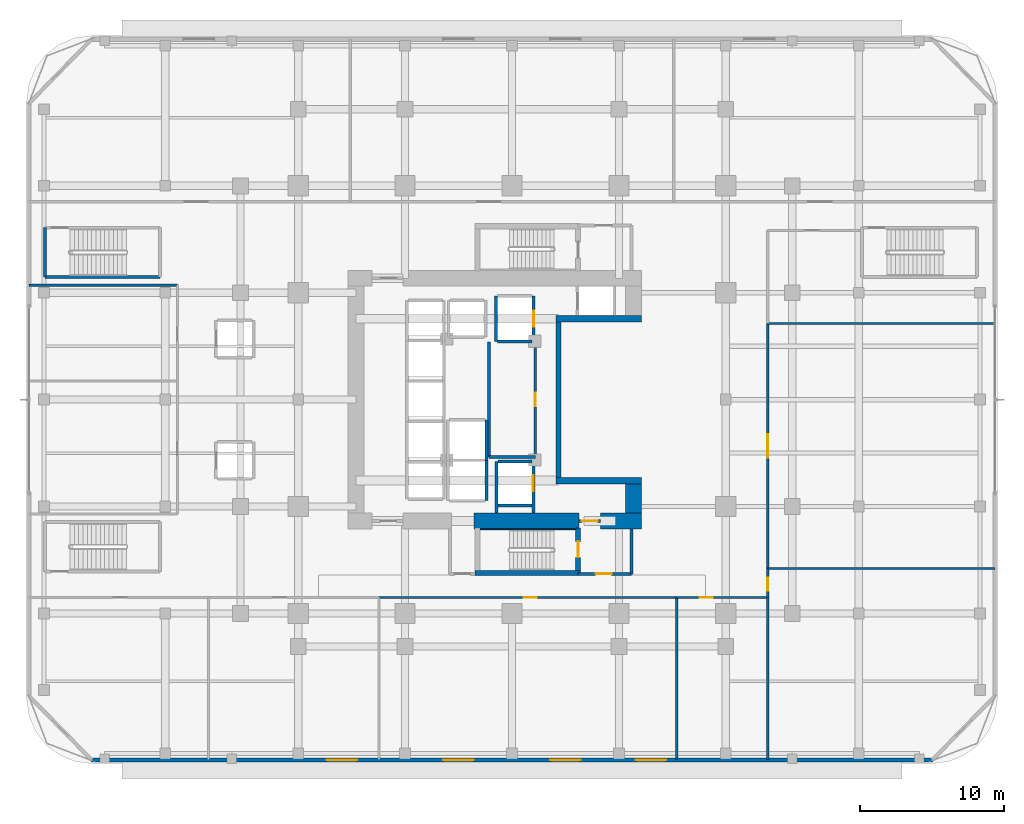
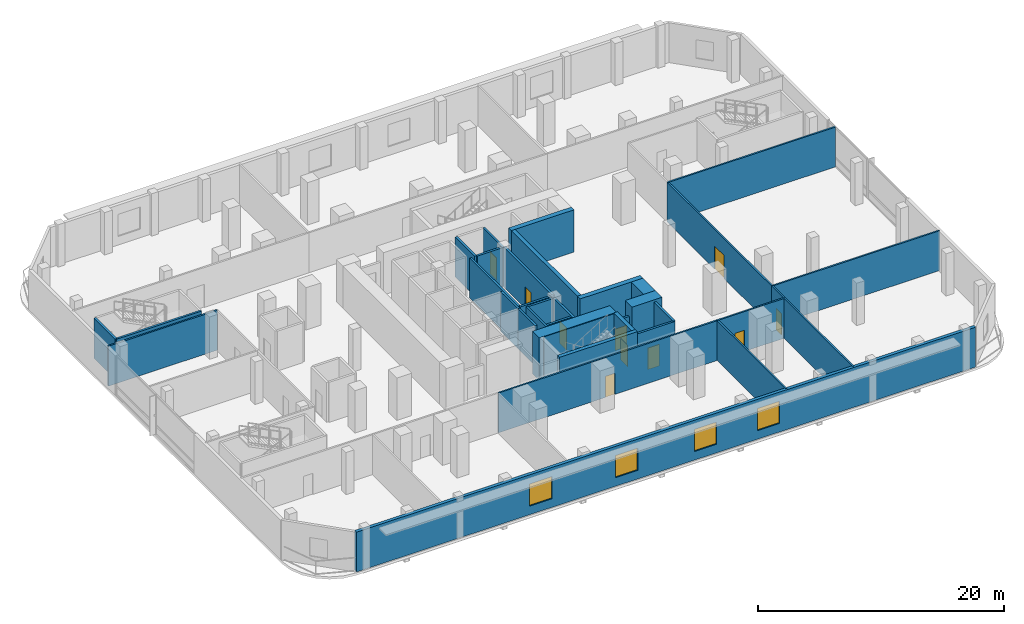
# One storey, part 9 of 19: 36 walls, 10 doors, 4 windows, 14 openings.
"""IFC4 building model written with IfcOpenShell, lengths in metres."""

from ifc_helpers import new_model, si_unit, direction, frame, frame_2d, origin, place, context, subcontext, project, spatial, rectangle, extrude, material, layer, layer_set, type_object, element, fill, save


model = new_model("IFC4")

# Units and contexts
model_context = context("Model", 3, precision=1e-05, world=origin(), true_north=direction((0.0, 1.0)))
body_context = subcontext(model_context, "Body", "Model", "MODEL_VIEW")
ifc_project = project(units=[si_unit("LENGTHUNIT", "METRE"), si_unit("AREAUNIT", "SQUARE_METRE"), si_unit("VOLUMEUNIT", "CUBIC_METRE"), si_unit("PLANEANGLEUNIT", "RADIAN"), si_unit("MASSUNIT", "GRAM", prefix="KILO")], contexts=[model_context])

# Site, building, storey
site_placement = place(None, origin())
site = spatial("IfcSite", under=ifc_project, at=site_placement, CompositionType="ELEMENT")
building_placement = place(site_placement, origin())
building = spatial("IfcBuilding", under=site, at=building_placement, Name="Khorvyn Point Tower", CompositionType="ELEMENT")
storey_placement = place(building_placement, frame((0.0, 0.0, 13.199951171875)))
storey = spatial("IfcBuildingStorey", under=building, at=storey_placement, Name="L04", CompositionType="ELEMENT", Elevation=13.199951171875)

# Walls
ifc_material_1 = material(Name="Concrete C40/50", Category="concrete")
ifc_layer_1 = layer(ifc_material_1, 0.449951171875)
ifc_layer_set_1 = layer_set([ifc_layer_1], Name="Concrete C40/50 Core Shear Wall 450")
wall_type_1 = type_object("IfcWallType", Name="Concrete C40/50 Core Shear Wall 450", PredefinedType="SHEAR", material=ifc_layer_set_1)
for number, where, z_axis, x_axis, name in (
    (1, (3.044921875, -5.60009765625, 0.0), (0.0, 0.0, 1.0), (1.0, 0.0, 0.0), "Wall"),
    (2, (3.044921875, 5.60009765625, 0.0), (0.0, 0.0, 1.0), (1.0, 0.0, 0.0), "Wall"),
):
    element("IfcWall", number, at=place(storey_placement, frame(where, z_axis=z_axis, x_axis=x_axis)), inside=storey, type_object=wall_type_1, Name=name, PredefinedType="SHEAR", context=body_context, shape_type="SweptSolid", body=[
        extrude(rectangle(XDim=5.905029296875, YDim=0.449951171875, at=frame_2d((2.95263671875, 0.0))), origin(), (0.0, 0.0, 1.0), 4.199951171875),
    ])

# Wall, opening, door
ifc_layer_2 = layer(ifc_material_1, 0.199951171875)
ifc_layer_set_2 = layer_set([ifc_layer_2], Name="Concrete C40/50 Fire-Lobby Compartment Wall 200")
wall_type_2 = type_object("IfcWallType", Name="Concrete C40/50 Fire-Lobby Compartment Wall 200", PredefinedType="SOLIDWALL", material=ifc_layer_set_2)
wall_1_placement = place(storey_placement, frame((4.580078125, -12.06005859375, 0.0), z_axis=(0.0, 0.0, 1.0), x_axis=(1.0, 0.0, 0.0)))
wall_1 = element("IfcWall", 3, at=wall_1_placement, inside=storey, type_object=wall_type_2, Name="Wall", PredefinedType="SOLIDWALL", context=body_context, shape_type="SweptSolid", body=[
    extrude(rectangle(XDim=3.699951171875, YDim=0.199951171875, at=frame_2d((1.85009765625, 0.0))), origin(), (0.0, 0.0, 1.0), 3.9599609375),
])
opening_1_placement = place(wall_1_placement, frame((1.21240234375, 0.0, 0.0)))
opening_1 = element("IfcOpeningElement", 4, at=opening_1_placement, cuts=wall_1, Name="Opening ID-FL90", PredefinedType="OPENING", context=body_context, shape_type="SweptSolid", body=[
    extrude(rectangle(XDim=1.10009765625, YDim=2.14990234375, at=frame_2d((0.550048828125, 1.074951171875))), frame((0.0, 0.10986328125, 0.0), z_axis=(0.0, -1.0, 0.0), x_axis=(1.0, 0.0, 0.0)), (0.0, 0.0, 1.0), 0.219970703125),
])
ifc_material_2 = material(Name="Galvanised powder-coated steel", Category="steel")
door_type_1 = type_object("IfcDoorType", Name="Fire-Rated Steel Lobby and Stair Door 1100x2150", OperationType="NOTDEFINED", PredefinedType="DOOR", material=ifc_material_2)
door_1_placement = place(opening_1_placement, origin())
door_1 = element("IfcDoor", 5, at=door_1_placement, inside=storey, type_object=door_type_1, Name="Door", OperationType="SINGLE_SWING_LEFT", OverallHeight=2.14990234375, OverallWidth=1.10009765625, PredefinedType="DOOR", context=body_context, shape_type="SweptSolid", body=[
    extrude(rectangle(XDim=1.10009765625, YDim=2.14990234375, at=frame_2d((0.550048828125, 1.074951171875))), frame((0.0, 0.02490234375, 0.0), z_axis=(0.0, -1.0, 0.0), x_axis=(1.0, 0.0, 0.0)), (0.0, 0.0, 1.0), 0.050048828125),
])
fill(opening_1, door_1)

wall_2_placement = place(storey_placement, frame((4.64990234375, -8.39990234375, 0.0), z_axis=(0.0, 0.0, 1.0), x_axis=(1.0, 0.0, 0.0)))
wall_2 = element("IfcWall", 6, at=wall_2_placement, inside=storey, type_object=wall_type_2, Name="Wall", PredefinedType="SOLIDWALL", context=body_context, shape_type="SweptSolid", body=[
    extrude(rectangle(XDim=1.47021484375, YDim=0.199951171875, at=frame_2d((0.735107421875, 0.0))), origin(), (0.0, 0.0, 1.0), 3.0),
])
opening_2_placement = place(wall_2_placement, frame((0.18505859375, 0.0, 0.0)))
opening_2 = element("IfcOpeningElement", 7, at=opening_2_placement, cuts=wall_2, Name="Opening ID-FL90", PredefinedType="OPENING", context=body_context, shape_type="SweptSolid", body=[
    extrude(rectangle(XDim=1.10009765625, YDim=2.14990234375, at=frame_2d((0.550048828125, 1.074951171875))), frame((0.0, 0.10986328125, 0.0), z_axis=(0.0, -1.0, 0.0), x_axis=(1.0, 0.0, 0.0)), (0.0, 0.0, 1.0), 0.219970703125),
])
door_2_placement = place(opening_2_placement, origin())
door_2 = element("IfcDoor", 8, at=door_2_placement, inside=storey, type_object=door_type_1, Name="Door", OperationType="SINGLE_SWING_RIGHT", OverallHeight=2.14990234375, OverallWidth=1.10009765625, PredefinedType="DOOR", context=body_context, shape_type="SweptSolid", body=[
    extrude(rectangle(XDim=1.10009765625, YDim=2.14990234375, at=frame_2d((0.550048828125, 1.074951171875))), frame((0.0, 0.02490234375, 0.0), z_axis=(0.0, -1.0, 0.0), x_axis=(1.0, 0.0, 0.0)), (0.0, 0.0, 1.0), 0.050048828125),
])
fill(opening_2, door_2)

wall_3_placement = place(storey_placement, frame((1.610107421875, -3.97998046875, 0.0), z_axis=(0.0, 0.0, 1.0), x_axis=(0.0, 1.0, 0.0)))
wall_3 = element("IfcWall", 9, at=wall_3_placement, inside=storey, type_object=wall_type_2, Name="Wall", PredefinedType="SOLIDWALL", context=body_context, shape_type="SweptSolid", body=[
    extrude(rectangle(XDim=7.9599609375, YDim=0.199951171875, at=frame_2d((3.97998046875, 0.0))), origin(), (0.0, 0.0, 1.0), 3.9599609375),
])
opening_3_placement = place(wall_3_placement, frame((3.52001953125, 0.0, 0.0)))
opening_3 = element("IfcOpeningElement", 10, at=opening_3_placement, cuts=wall_3, Name="Opening ID-RS60", PredefinedType="OPENING", context=body_context, shape_type="SweptSolid", body=[
    extrude(rectangle(XDim=0.919921875, YDim=2.10009765625, at=frame_2d((0.4599609375, 1.050048828125))), frame((0.0, 0.10986328125, 0.0), z_axis=(0.0, -1.0, 0.0), x_axis=(1.0, 0.0, 0.0)), (0.0, 0.0, 1.0), 0.219970703125),
])
door_type_2 = type_object("IfcDoorType", Name="Fire-Rated Riser and Store Steel Door 920x2100", OperationType="NOTDEFINED", PredefinedType="DOOR", material=ifc_material_2)
door_3_placement = place(opening_3_placement, origin())
door_3 = element("IfcDoor", 11, at=door_3_placement, inside=storey, type_object=door_type_2, Name="Door", OperationType="SINGLE_SWING_LEFT", OverallHeight=2.10009765625, OverallWidth=0.919921875, PredefinedType="DOOR", context=body_context, shape_type="SweptSolid", body=[
    extrude(rectangle(XDim=0.919921875, YDim=2.10009765625, at=frame_2d((0.4599609375, 1.050048828125))), frame((0.0, 0.02490234375, 0.0), z_axis=(0.0, -1.0, 0.0), x_axis=(1.0, 0.0, 0.0)), (0.0, 0.0, 1.0), 0.050048828125),
])
fill(opening_3, door_3)

# Walls
wall_4_placement = place(storey_placement, frame((8.280029296875, -12.06005859375, 0.0), z_axis=(0.0, 0.0, 1.0), x_axis=(0.0, 1.0, 0.0)))
element("IfcWall", 12, at=wall_4_placement, inside=storey, type_object=wall_type_2, Name="Wall", PredefinedType="SOLIDWALL", context=body_context, shape_type="SweptSolid", body=[
    extrude(rectangle(XDim=3.110107421875, YDim=0.199951171875, at=frame_2d((1.55517578125, 0.0))), origin(), (0.0, 0.0, 1.0), 3.9599609375),
])
wall_5_placement = place(storey_placement, frame((-1.580078125, -3.97998046875, 0.0), z_axis=(0.0, 0.0, 1.0), x_axis=(0.0, 1.0, 0.0)))
element("IfcWall", 13, at=wall_5_placement, inside=storey, type_object=wall_type_2, Name="Wall", PredefinedType="SOLIDWALL", context=body_context, shape_type="SweptSolid", body=[
    extrude(rectangle(XDim=7.9599609375, YDim=0.199951171875, at=frame_2d((3.97998046875, 0.0))), origin(), (0.0, 0.0, 1.0), 3.9599609375),
])
wall_6_placement = place(storey_placement, frame((-1.580078125, -3.97998046875, 0.0), z_axis=(0.0, 0.0, 1.0), x_axis=(1.0, 0.0, 0.0)))
element("IfcWall", 14, at=wall_6_placement, inside=storey, type_object=wall_type_2, Name="Wall", PredefinedType="SOLIDWALL", context=body_context, shape_type="SweptSolid", body=[
    extrude(rectangle(XDim=3.190185546875, YDim=0.199951171875, at=frame_2d((1.59521484375, 0.0))), origin(), (0.0, 0.0, 1.0), 3.9599609375),
])
ifc_layer_3 = layer(ifc_material_1, 0.25)
ifc_layer_set_3 = layer_set([ifc_layer_3], Name="Concrete C40/50 Stair Inner Cheek Structural Wall 250")
wall_type_3 = type_object("IfcWallType", Name="Concrete C40/50 Stair Inner Cheek Structural Wall 250", PredefinedType="SHEAR", material=ifc_layer_set_3)
wall_7_placement = place(storey_placement, frame((-2.199951171875, -8.987548828125, 0.0), z_axis=(0.0, 0.0, 1.0), x_axis=(1.0, 0.0, 0.0)))
element("IfcWall", 15, at=wall_7_placement, inside=storey, type_object=wall_type_3, Name="Wall", PredefinedType="SHEAR", context=body_context, shape_type="SweptSolid", body=[
    extrude(rectangle(XDim=6.599853515625, YDim=0.074951171875, at=frame_2d((3.2998046875, 0.0))), origin(), (0.0, 0.0, 1.0), 4.199951171875),
])
ifc_layer_4 = layer(ifc_material_1, 0.35009765625)
ifc_layer_set_4 = layer_set([ifc_layer_4], Name="Concrete C40/50 Stair Shaft Structural Wall 350")
wall_type_4 = type_object("IfcWallType", Name="Concrete C40/50 Stair Shaft Structural Wall 350", PredefinedType="SHEAR", material=ifc_layer_set_4)
wall_8_placement = place(storey_placement, frame((3.219970703125, -5.375, 0.0), z_axis=(0.0, 0.0, 1.0), x_axis=(0.0, 1.0, 0.0)))
element("IfcWall", 16, at=wall_8_placement, inside=storey, type_object=wall_type_4, Name="Wall", PredefinedType="SHEAR", context=body_context, shape_type="SweptSolid", body=[
    extrude(rectangle(XDim=10.75, YDim=0.35009765625, at=frame_2d((5.375, 0.0))), origin(), (0.0, 0.0, 1.0), 4.199951171875),
])
wall_9_placement = place(storey_placement, frame((-2.554931640625, -12.0, 0.0), z_axis=(0.0, 0.0, 1.0), x_axis=(1.0, 0.0, 0.0)))
element("IfcWall", 17, at=wall_9_placement, inside=storey, type_object=wall_type_4, Name="L04 ST-01 South Shaft Wall", PredefinedType="SHEAR", context=body_context, shape_type="SweptSolid", body=[
    extrude(rectangle(XDim=7.309814453125, YDim=0.35009765625, at=frame_2d((3.65478515625, 0.0))), origin(), (0.0, 0.0, 1.0), 4.199951171875),
])

# Wall, opening, door
wall_10_placement = place(storey_placement, frame((4.580078125, -8.89990234375, 0.0), z_axis=(0.0, 0.0, 1.0), x_axis=(0.0, -1.0, 0.0)))
wall_10 = element("IfcWall", 18, at=wall_10_placement, inside=storey, type_object=wall_type_4, Name="L04 ST-01 East Landing Door Wall", PredefinedType="SHEAR", context=body_context, shape_type="SweptSolid", body=[
    extrude(rectangle(XDim=2.925048828125, YDim=0.35009765625, at=frame_2d((1.46240234375, 0.0))), origin(), (0.0, 0.0, 1.0), 4.199951171875),
])
opening_4_placement = place(wall_10_placement, frame((0.91259765625, 0.0, 0.0)))
opening_4 = element("IfcOpeningElement", 19, at=opening_4_placement, cuts=wall_10, Name="Opening ID-FL90", PredefinedType="OPENING", context=body_context, shape_type="SweptSolid", body=[
    extrude(rectangle(XDim=1.10009765625, YDim=2.14990234375, at=frame_2d((0.550048828125, 1.074951171875))), frame((0.0, 0.18505859375, 0.0), z_axis=(0.0, -1.0, 0.0), x_axis=(1.0, 0.0, 0.0)), (0.0, 0.0, 1.0), 0.3701171875),
])
door_4_placement = place(opening_4_placement, origin())
door_4 = element("IfcDoor", 20, at=door_4_placement, inside=storey, type_object=door_type_1, Name="L04 ST-01 Smokeproof Landing Door", OperationType="SINGLE_SWING_RIGHT", OverallHeight=2.14990234375, OverallWidth=1.10009765625, PredefinedType="DOOR", context=body_context, shape_type="SweptSolid", body=[
    extrude(rectangle(XDim=1.10009765625, YDim=2.14990234375, at=frame_2d((0.550048828125, 1.074951171875))), frame((0.0, 0.02490234375, 0.0), z_axis=(0.0, -1.0, 0.0), x_axis=(1.0, 0.0, 0.0)), (0.0, 0.0, 1.0), 0.050048828125),
])
fill(opening_4, door_4)

# Walls
ifc_layer_5 = layer(ifc_material_1, 0.199951171875)
ifc_layer_set_5 = layer_set([ifc_layer_5], Name="Concrete C40/50 Structural Hoistway and Stair Shaft Wall 200")
wall_type_5 = type_object("IfcWallType", Name="Concrete C40/50 Structural Hoistway and Stair Shaft Wall 200", PredefinedType="SHEAR", material=ifc_layer_set_5)
for number, where, z_axis, x_axis, name in (
    (21, (-1.77490234375, -7.0, 0.0), (0.0, 0.0, 1.0), (0.0, 1.0, 0.0), "Wall"),
    (22, (-1.77490234375, -4.199951171875, 0.0), (0.0, 0.0, 1.0), (0.0, 1.0, 0.0), "Wall"),
):
    element("IfcWall", number, at=place(storey_placement, frame(where, z_axis=z_axis, x_axis=x_axis)), inside=storey, type_object=wall_type_5, Name=name, PredefinedType="SHEAR", context=body_context, shape_type="SweptSolid", body=[
        extrude(rectangle(XDim=2.800048828125, YDim=0.199951171875, at=frame_2d((1.39990234375, 0.0))), origin(), (0.0, 0.0, 1.0), 3.9599609375),
    ])
wall_11_placement = place(storey_placement, frame((-1.10009765625, 4.02490234375, 0.0), z_axis=(0.0, 0.0, 1.0), x_axis=(0.0, 1.0, 0.0)))
element("IfcWall", 23, at=wall_11_placement, inside=storey, type_object=wall_type_5, Name="Wall", PredefinedType="SHEAR", context=body_context, shape_type="SweptSolid", body=[
    extrude(rectangle(XDim=3.150146484375, YDim=0.199951171875, at=frame_2d((1.5751953125, 0.0))), origin(), (0.0, 0.0, 1.0), 3.9599609375),
])

# Wall, opening, door
wall_12_placement = place(storey_placement, frame((1.5, 4.02490234375, 0.0), z_axis=(0.0, 0.0, 1.0), x_axis=(0.0, 1.0, 0.0)))
wall_12 = element("IfcWall", 24, at=wall_12_placement, inside=storey, type_object=wall_type_5, Name="Wall", PredefinedType="SHEAR", context=body_context, shape_type="SweptSolid", body=[
    extrude(rectangle(XDim=3.150146484375, YDim=0.199951171875, at=frame_2d((1.5751953125, 0.0))), origin(), (0.0, 0.0, 1.0), 3.9599609375),
])
opening_5_placement = place(wall_12_placement, frame((1.02490234375, 0.0, 0.0)))
opening_5 = element("IfcOpeningElement", 25, at=opening_5_placement, cuts=wall_12, Name="Opening LD-1122", PredefinedType="OPENING", context=body_context, shape_type="SweptSolid", body=[
    extrude(rectangle(XDim=1.10009765625, YDim=2.199951171875, at=frame_2d((0.550048828125, 1.10009765625))), frame((0.0, 0.10986328125, 0.0), z_axis=(0.0, -1.0, 0.0), x_axis=(1.0, 0.0, 0.0)), (0.0, 0.0, 1.0), 0.219970703125),
])
ifc_material_3 = material(Name="Stainless steel 1.4301", Category="steel")
door_type_3 = type_object("IfcDoorType", Name="Stainless Steel Automatic Sliding Lift Landing Door 1100x2200", OperationType="SLIDING_TO_LEFT", PredefinedType="DOOR", material=ifc_material_3)
door_5_placement = place(opening_5_placement, origin())
door_5 = element("IfcDoor", 26, at=door_5_placement, inside=storey, type_object=door_type_3, Name="L04 SV-01 Sliding Lift Landing Door", OperationType="SLIDING_TO_LEFT", OverallHeight=2.199951171875, OverallWidth=1.10009765625, PredefinedType="DOOR", context=body_context, shape_type="SweptSolid", body=[
    extrude(rectangle(XDim=1.10009765625, YDim=2.199951171875, at=frame_2d((0.550048828125, 1.10009765625))), frame((0.0, 0.02490234375, 0.0), z_axis=(0.0, -1.0, 0.0), x_axis=(1.0, 0.0, 0.0)), (0.0, 0.0, 1.0), 0.050048828125),
])
fill(opening_5, door_5)

# Walls
wall_13_placement = place(storey_placement, frame((-1.0, 4.02490234375, 0.0), z_axis=(0.0, 0.0, 1.0), x_axis=(1.0, 0.0, 0.0)))
element("IfcWall", 27, at=wall_13_placement, inside=storey, type_object=wall_type_5, Name="Wall", PredefinedType="SHEAR", context=body_context, shape_type="SweptSolid", body=[
    extrude(rectangle(XDim=2.39990234375, YDim=0.199951171875, at=frame_2d((1.199951171875, 0.0))), origin(), (0.0, 0.0, 1.0), 3.9599609375),
])
wall_14_placement = place(storey_placement, frame((-1.074951171875, -7.85009765625, 0.0), z_axis=(0.0, 0.0, 1.0), x_axis=(0.0, 1.0, 0.0)))
element("IfcWall", 28, at=wall_14_placement, inside=storey, type_object=wall_type_5, Name="Wall", PredefinedType="SHEAR", context=body_context, shape_type="SweptSolid", body=[
    extrude(rectangle(XDim=3.5751953125, YDim=0.199951171875, at=frame_2d((1.78759765625, 0.0))), origin(), (0.0, 0.0, 1.0), 3.9599609375),
])

# Wall, opening, door
wall_15_placement = place(storey_placement, frame((1.47509765625, -7.85009765625, 0.0), z_axis=(0.0, 0.0, 1.0), x_axis=(0.0, 1.0, 0.0)))
wall_15 = element("IfcWall", 29, at=wall_15_placement, inside=storey, type_object=wall_type_5, Name="Wall", PredefinedType="SHEAR", context=body_context, shape_type="SweptSolid", body=[
    extrude(rectangle(XDim=3.5751953125, YDim=0.199951171875, at=frame_2d((1.78759765625, 0.0))), origin(), (0.0, 0.0, 1.0), 3.9599609375),
])
opening_6_placement = place(wall_15_placement, frame((1.5, 0.0, 0.0)))
opening_6 = element("IfcOpeningElement", 30, at=opening_6_placement, cuts=wall_15, Name="Opening LD-1122", PredefinedType="OPENING", context=body_context, shape_type="SweptSolid", body=[
    extrude(rectangle(XDim=1.10009765625, YDim=2.199951171875, at=frame_2d((0.550048828125, 1.10009765625))), frame((0.0, 0.10986328125, 0.0), z_axis=(0.0, -1.0, 0.0), x_axis=(1.0, 0.0, 0.0)), (0.0, 0.0, 1.0), 0.219970703125),
])
door_6_placement = place(opening_6_placement, origin())
door_6 = element("IfcDoor", 31, at=door_6_placement, inside=storey, type_object=door_type_3, Name="L04 FF-01 Sliding Lift Landing Door", OperationType="SLIDING_TO_LEFT", OverallHeight=2.199951171875, OverallWidth=1.10009765625, PredefinedType="DOOR", context=body_context, shape_type="SweptSolid", body=[
    extrude(rectangle(XDim=1.10009765625, YDim=2.199951171875, at=frame_2d((0.550048828125, 1.10009765625))), frame((0.0, 0.02490234375, 0.0), z_axis=(0.0, -1.0, 0.0), x_axis=(1.0, 0.0, 0.0)), (0.0, 0.0, 1.0), 0.050048828125),
])
fill(opening_6, door_6)

# Walls
for number, where, z_axis, x_axis, name in (
    (32, (-0.97509765625, -7.324951171875, 0.0), (0.0, 0.0, 1.0), (1.0, 0.0, 0.0), "Wall"),
    (33, (-0.97509765625, -4.27490234375, 0.0), (0.0, 0.0, 1.0), (1.0, 0.0, 0.0), "Wall"),
):
    element("IfcWall", number, at=place(storey_placement, frame(where, z_axis=z_axis, x_axis=x_axis)), inside=storey, type_object=wall_type_5, Name=name, PredefinedType="SHEAR", context=body_context, shape_type="SweptSolid", body=[
        extrude(rectangle(XDim=2.35009765625, YDim=0.199951171875, at=frame_2d((1.175048828125, 0.0))), origin(), (0.0, 0.0, 1.0), 3.9599609375),
    ])
wall_16_placement = place(storey_placement, frame((-32.330078125, 8.47998046875, 0.0), z_axis=(0.0, 0.0, 1.0), x_axis=(0.0, 1.0, 0.0)))
element("IfcWall", 34, at=wall_16_placement, inside=storey, type_object=wall_type_5, Name="Wall", PredefinedType="SHEAR", context=body_context, shape_type="SweptSolid", body=[
    extrude(rectangle(XDim=3.419921875, YDim=0.199951171875, at=frame_2d((1.7099609375, 0.0))), origin(), (0.0, 0.0, 1.0), 3.9599609375),
])
wall_17_placement = place(storey_placement, frame((-24.3701171875, 8.47998046875, 0.0), z_axis=(0.0, 0.0, 1.0), x_axis=(-1.0, 0.0, 0.0)))
element("IfcWall", 35, at=wall_17_placement, inside=storey, type_object=wall_type_5, Name="Wall", PredefinedType="SHEAR", context=body_context, shape_type="SweptSolid", body=[
    extrude(rectangle(XDim=7.9599609375, YDim=0.199951171875, at=frame_2d((3.97998046875, 0.0))), origin(), (0.0, 0.0, 1.0), 3.9599609375),
])
ifc_material_4 = material(Name="Concrete C50/60", Category="concrete")
ifc_layer_6 = layer(ifc_material_4, 1.10009765625)
ifc_layer_set_6 = layer_set([ifc_layer_6], Name="Concrete C50/60 Core Shear Wall 1100")
wall_type_6 = type_object("IfcWallType", Name="Concrete C50/60 Core Shear Wall 1100", PredefinedType="SHEAR", material=ifc_layer_set_6)
wall_18_placement = place(storey_placement, frame((-2.6201171875, -8.39990234375, 0.0), z_axis=(0.0, 0.0, 1.0), x_axis=(1.0, 0.0, 0.0)))
element("IfcWall", 36, at=wall_18_placement, inside=storey, type_object=wall_type_6, Name="Wall", PredefinedType="SHEAR", context=body_context, shape_type="SweptSolid", body=[
    extrude(rectangle(XDim=7.27001953125, YDim=1.10009765625, at=frame_2d((3.635009765625, 0.0))), origin(), (0.0, 0.0, 1.0), 4.199951171875),
])
wall_19_placement = place(storey_placement, frame((6.1201171875, -8.39990234375, 0.0), z_axis=(0.0, 0.0, 1.0), x_axis=(1.0, 0.0, 0.0)))
element("IfcWall", 37, at=wall_19_placement, inside=storey, type_object=wall_type_6, Name="Wall", PredefinedType="SHEAR", context=body_context, shape_type="SweptSolid", body=[
    extrude(rectangle(XDim=2.829833984375, YDim=1.10009765625, at=frame_2d((1.4150390625, 0.0))), origin(), (0.0, 0.0, 1.0), 4.199951171875),
])
wall_20_placement = place(storey_placement, frame((8.39990234375, -7.85009765625, 0.0), z_axis=(0.0, 0.0, 1.0), x_axis=(0.0, 1.0, 0.0)))
element("IfcWall", 38, at=wall_20_placement, inside=storey, type_object=wall_type_6, Name="Wall", PredefinedType="SHEAR", context=body_context, shape_type="SweptSolid", body=[
    extrude(rectangle(XDim=2.025146484375, YDim=1.10009765625, at=frame_2d((1.0126953125, 0.0))), origin(), (0.0, 0.0, 1.0), 4.199951171875),
])

# Wall, opening, door
ifc_material_5 = material(Name="Moisture-resistant gypsum and cement board", Category="gypsum")
ifc_layer_7 = layer(ifc_material_5, 0.14990234375)
ifc_layer_set_7 = layer_set([ifc_layer_7], Name="Moisture-Resistant Wet-Room Partition Wall 150")
wall_type_7 = type_object("IfcWallType", Name="Moisture-Resistant Wet-Room Partition Wall 150", PredefinedType="PARTITIONING", material=ifc_layer_set_7)
wall_21_placement = place(storey_placement, frame((17.699951171875, -11.699951171875, 0.0), z_axis=(0.0, 0.0, 1.0), x_axis=(0.0, 1.0, 0.0)))
wall_21 = element("IfcWall", 39, at=wall_21_placement, inside=storey, type_object=wall_type_7, Name="Wall", PredefinedType="PARTITIONING", context=body_context, shape_type="SweptSolid", body=[
    extrude(rectangle(XDim=16.97998046875, YDim=0.14990234375, at=frame_2d((8.489990234375, 0.0))), origin(), (0.0, 0.0, 1.0), 3.9599609375),
])
opening_7_placement = place(wall_21_placement, frame((7.68994140625, 0.0, 0.0)))
opening_7 = element("IfcOpeningElement", 40, at=opening_7_placement, cuts=wall_21, Name="Opening ID-LB30", PredefinedType="OPENING", context=body_context, shape_type="SweptSolid", body=[
    extrude(rectangle(XDim=1.60009765625, YDim=2.300048828125, at=frame_2d((0.800048828125, 1.14990234375))), frame((0.0, 0.0849609375, 0.0), z_axis=(0.0, -1.0, 0.0), x_axis=(1.0, 0.0, 0.0)), (0.0, 0.0, 1.0), 0.169921875),
])
ifc_material_6 = material(Name="Anodised aluminium 6063-T6 and tempered glass", Category="aluminium")
door_type_4 = type_object("IfcDoorType", Name="Glazed Aluminium Sky-Lobby Double Swing Door 1600x2300", OperationType="DOUBLE_DOOR_SINGLE_SWING", PredefinedType="DOOR", material=ifc_material_6)
door_7_placement = place(opening_7_placement, origin())
door_7 = element("IfcDoor", 41, at=door_7_placement, inside=storey, type_object=door_type_4, Name="Door", OperationType="SINGLE_SWING_LEFT", OverallHeight=2.300048828125, OverallWidth=1.60009765625, PredefinedType="DOOR", context=body_context, shape_type="SweptSolid", body=[
    extrude(rectangle(XDim=1.60009765625, YDim=2.300048828125, at=frame_2d((0.800048828125, 1.14990234375))), frame((0.0, 0.02490234375, 0.0), z_axis=(0.0, -1.0, 0.0), x_axis=(1.0, 0.0, 0.0)), (0.0, 0.0, 1.0), 0.050048828125),
])
fill(opening_7, door_7)

wall_22_placement = place(storey_placement, frame((-9.199951171875, -13.699951171875, 0.0), z_axis=(0.0, 0.0, 1.0), x_axis=(1.0, 0.0, 0.0)))
wall_22 = element("IfcWall", 42, at=wall_22_placement, inside=storey, type_object=wall_type_7, Name="Wall", PredefinedType="PARTITIONING", context=body_context, shape_type="SweptSolid", body=[
    extrude(rectangle(XDim=20.599853515625, YDim=0.14990234375, at=frame_2d((10.2998046875, 0.0))), origin(), (0.0, 0.0, 1.0), 3.9599609375),
])
opening_8_placement = place(wall_22_placement, frame((10.029296875, 0.0, 0.0)))
opening_8 = element("IfcOpeningElement", 43, at=opening_8_placement, cuts=wall_22, Name="Opening ID-RM90", PredefinedType="OPENING", context=body_context, shape_type="SweptSolid", body=[
    extrude(rectangle(XDim=0.89990234375, YDim=2.10009765625, at=frame_2d((0.449951171875, 1.050048828125))), frame((0.0, 0.0849609375, 0.0), z_axis=(0.0, -1.0, 0.0), x_axis=(1.0, 0.0, 0.0)), (0.0, 0.0, 1.0), 0.169921875),
])
ifc_material_7 = material(Name="Engineered oak veneer timber", Category="wood")
door_type_5 = type_object("IfcDoorType", Name="Flush Engineered Timber Room Door 900x2100", OperationType="NOTDEFINED", PredefinedType="DOOR", material=ifc_material_7)
door_8_placement = place(opening_8_placement, origin())
door_8 = element("IfcDoor", 44, at=door_8_placement, inside=storey, type_object=door_type_5, Name="Door", OperationType="SINGLE_SWING_LEFT", OverallHeight=2.10009765625, OverallWidth=0.89990234375, PredefinedType="DOOR", context=body_context, shape_type="SweptSolid", body=[
    extrude(rectangle(XDim=0.89990234375, YDim=2.10009765625, at=frame_2d((0.449951171875, 1.050048828125))), frame((0.0, 0.02490234375, 0.0), z_axis=(0.0, -1.0, 0.0), x_axis=(1.0, 0.0, 0.0)), (0.0, 0.0, 1.0), 0.050048828125),
])
fill(opening_8, door_8)

wall_23_placement = place(storey_placement, frame((11.39990234375, -13.699951171875, 0.0), z_axis=(0.0, 0.0, 1.0), x_axis=(1.0, 0.0, 0.0)))
wall_23 = element("IfcWall", 45, at=wall_23_placement, inside=storey, type_object=wall_type_7, Name="Wall", PredefinedType="PARTITIONING", context=body_context, shape_type="SweptSolid", body=[
    extrude(rectangle(XDim=6.25, YDim=0.14990234375, at=frame_2d((3.125, 0.0))), origin(), (0.0, 0.0, 1.0), 3.9599609375),
])
opening_9_placement = place(wall_23_placement, frame((1.59716796875, 0.0, 0.0)))
opening_9 = element("IfcOpeningElement", 46, at=opening_9_placement, cuts=wall_23, Name="Opening ID-RM90", PredefinedType="OPENING", context=body_context, shape_type="SweptSolid", body=[
    extrude(rectangle(XDim=0.89990234375, YDim=2.10009765625, at=frame_2d((0.449951171875, 1.050048828125))), frame((0.0, 0.0849609375, 0.0), z_axis=(0.0, -1.0, 0.0), x_axis=(1.0, 0.0, 0.0)), (0.0, 0.0, 1.0), 0.169921875),
])
door_9_placement = place(opening_9_placement, origin())
door_9 = element("IfcDoor", 47, at=door_9_placement, inside=storey, type_object=door_type_5, Name="Door", OperationType="SINGLE_SWING_RIGHT", OverallHeight=2.10009765625, OverallWidth=0.89990234375, PredefinedType="DOOR", context=body_context, shape_type="SweptSolid", body=[
    extrude(rectangle(XDim=0.89990234375, YDim=2.10009765625, at=frame_2d((0.449951171875, 1.050048828125))), frame((0.0, 0.02490234375, 0.0), z_axis=(0.0, -1.0, 0.0), x_axis=(1.0, 0.0, 0.0)), (0.0, 0.0, 1.0), 0.050048828125),
])
fill(opening_9, door_9)

wall_24_placement = place(storey_placement, frame((17.699951171875, -13.699951171875, 0.0), z_axis=(0.0, 0.0, 1.0), x_axis=(0.0, 1.0, 0.0)))
wall_24 = element("IfcWall", 48, at=wall_24_placement, inside=storey, type_object=wall_type_7, Name="Wall", PredefinedType="PARTITIONING", context=body_context, shape_type="SweptSolid", body=[
    extrude(rectangle(XDim=2.0, YDim=0.14990234375, at=frame_2d((1.0, 0.0))), origin(), (0.0, 0.0, 1.0), 3.9599609375),
])
opening_10_placement = place(wall_24_placement, frame((0.471923828125, 0.0, 0.0)))
opening_10 = element("IfcOpeningElement", 49, at=opening_10_placement, cuts=wall_24, Name="Opening ID-RM90", PredefinedType="OPENING", context=body_context, shape_type="SweptSolid", body=[
    extrude(rectangle(XDim=0.89990234375, YDim=2.10009765625, at=frame_2d((0.449951171875, 1.050048828125))), frame((0.0, 0.0849609375, 0.0), z_axis=(0.0, -1.0, 0.0), x_axis=(1.0, 0.0, 0.0)), (0.0, 0.0, 1.0), 0.169921875),
])
door_10_placement = place(opening_10_placement, origin())
door_10 = element("IfcDoor", 50, at=door_10_placement, inside=storey, type_object=door_type_5, Name="Door", OperationType="SINGLE_SWING_LEFT", OverallHeight=2.10009765625, OverallWidth=0.89990234375, PredefinedType="DOOR", context=body_context, shape_type="SweptSolid", body=[
    extrude(rectangle(XDim=0.89990234375, YDim=2.10009765625, at=frame_2d((0.449951171875, 1.050048828125))), frame((0.0, 0.02490234375, 0.0), z_axis=(0.0, -1.0, 0.0), x_axis=(1.0, 0.0, 0.0)), (0.0, 0.0, 1.0), 0.050048828125),
])
fill(opening_10, door_10)

# Walls
wall_25_placement = place(storey_placement, frame((-33.419921875, 7.919921875, 0.0), z_axis=(0.0, 0.0, 1.0), x_axis=(1.0, 0.0, 0.0)))
element("IfcWall", 51, at=wall_25_placement, inside=storey, type_object=wall_type_7, Name="Wall", PredefinedType="PARTITIONING", context=body_context, shape_type="SweptSolid", body=[
    extrude(rectangle(XDim=10.260009765625, YDim=0.14990234375, at=frame_2d((5.1298828125, 0.0))), origin(), (0.0, 0.0, 1.0), 3.9599609375),
])
for number, where, z_axis, x_axis, name in (
    (52, (17.699951171875, -11.699951171875, 0.0), (0.0, 0.0, 1.0), (1.0, 0.0, 0.0), "Wall"),
    (53, (17.699951171875, 5.280029296875, 0.0), (0.0, 0.0, 1.0), (1.0, 0.0, 0.0), "Wall"),
):
    element("IfcWall", number, at=place(storey_placement, frame(where, z_axis=z_axis, x_axis=x_axis)), inside=storey, type_object=wall_type_7, Name=name, PredefinedType="PARTITIONING", context=body_context, shape_type="SweptSolid", body=[
        extrude(rectangle(XDim=15.719970703125, YDim=0.14990234375, at=frame_2d((7.85986328125, 0.0))), origin(), (0.0, 0.0, 1.0), 3.9599609375),
    ])
for number, where, z_axis, x_axis, name in (
    (54, (11.39990234375, -24.919921875, 0.0), (0.0, 0.0, 1.0), (0.0, 1.0, 0.0), "Wall"),
    (55, (17.699951171875, -24.919921875, 0.0), (0.0, 0.0, 1.0), (0.0, 1.0, 0.0), "Wall"),
):
    element("IfcWall", number, at=place(storey_placement, frame(where, z_axis=z_axis, x_axis=x_axis)), inside=storey, type_object=wall_type_7, Name=name, PredefinedType="PARTITIONING", context=body_context, shape_type="SweptSolid", body=[
        extrude(rectangle(XDim=11.219970703125, YDim=0.14990234375, at=frame_2d((5.60986328125, 0.0))), origin(), (0.0, 0.0, 1.0), 3.9599609375),
    ])

# Wall, openings, windows
ifc_material_8 = material(Name="Precast concrete C35/45", Category="concrete")
ifc_layer_8 = layer(ifc_material_8, 0.300048828125)
ifc_layer_set_8 = layer_set([ifc_layer_8], Name="Precast Concrete C35/45 Insulated Podium Facade Wall 300")
wall_type_8 = type_object("IfcWallType", Name="Precast Concrete C35/45 Insulated Podium Facade Wall 300", PredefinedType="SOLIDWALL", material=ifc_layer_set_8)
wall_26_placement = place(storey_placement, frame((29.10009765625, -24.949951171875, 0.0), z_axis=(0.0, 0.0, 1.0), x_axis=(-1.0, 0.0, 0.0)))
wall_26 = element("IfcWall", 56, at=wall_26_placement, inside=storey, type_object=wall_type_8, Name="L04 South Podium Facade Wall", PredefinedType="SOLIDWALL", context=body_context, shape_type="SweptSolid", body=[
    extrude(rectangle(XDim=58.2001953125, YDim=0.300048828125, at=frame_2d((29.10009765625, 0.0))), origin(), (0.0, 0.0, 1.0), 3.9599609375),
])
opening_11_placement = place(wall_26_placement, frame((39.824951171875, 0.0, 0.85009765625)))
opening_11 = element("IfcOpeningElement", 57, at=opening_11_placement, cuts=wall_26, Name="Opening WN-2122", PredefinedType="OPENING", context=body_context, shape_type="SweptSolid", body=[
    extrude(rectangle(XDim=2.10009765625, YDim=2.199951171875, at=frame_2d((1.050048828125, 1.10009765625))), frame((0.0, 0.159912109375, 0.0), z_axis=(0.0, -1.0, 0.0), x_axis=(1.0, 0.0, 0.0)), (0.0, 0.0, 1.0), 0.320068359375),
])
opening_12_placement = place(wall_26_placement, frame((31.75, 0.0, 0.85009765625)))
opening_12 = element("IfcOpeningElement", 58, at=opening_12_placement, cuts=wall_26, Name="Opening WN-2122", PredefinedType="OPENING", context=body_context, shape_type="SweptSolid", body=[
    extrude(rectangle(XDim=2.10009765625, YDim=2.199951171875, at=frame_2d((1.050048828125, 1.10009765625))), frame((0.0, 0.159912109375, 0.0), z_axis=(0.0, -1.0, 0.0), x_axis=(1.0, 0.0, 0.0)), (0.0, 0.0, 1.0), 0.320068359375),
])
opening_13_placement = place(wall_26_placement, frame((24.35009765625, 0.0, 0.85009765625)))
opening_13 = element("IfcOpeningElement", 59, at=opening_13_placement, cuts=wall_26, Name="Opening WN-2122", PredefinedType="OPENING", context=body_context, shape_type="SweptSolid", body=[
    extrude(rectangle(XDim=2.10009765625, YDim=2.199951171875, at=frame_2d((1.050048828125, 1.10009765625))), frame((0.0, 0.159912109375, 0.0), z_axis=(0.0, -1.0, 0.0), x_axis=(1.0, 0.0, 0.0)), (0.0, 0.0, 1.0), 0.320068359375),
])
opening_14_placement = place(wall_26_placement, frame((18.425048828125, 0.0, 0.85009765625)))
opening_14 = element("IfcOpeningElement", 60, at=opening_14_placement, cuts=wall_26, Name="Opening WN-2122", PredefinedType="OPENING", context=body_context, shape_type="SweptSolid", body=[
    extrude(rectangle(XDim=2.10009765625, YDim=2.199951171875, at=frame_2d((1.050048828125, 1.10009765625))), frame((0.0, 0.159912109375, 0.0), z_axis=(0.0, -1.0, 0.0), x_axis=(1.0, 0.0, 0.0)), (0.0, 0.0, 1.0), 0.320068359375),
])
ifc_material_9 = material(Name="Anodised aluminium 6063-T6 and laminated Low-E glass", Category="aluminium")
window_type = type_object("IfcWindowType", Name="Anodised Aluminium School Classroom Daylight Window 2100x2200", PartitioningType="TRIPLE_PANEL_HORIZONTAL", PredefinedType="WINDOW", material=ifc_material_9)
window_1_placement = place(opening_11_placement, origin())
window_1 = element("IfcWindow", 61, at=window_1_placement, inside=storey, type_object=window_type, Name="L04 South Podium Daylight Window S1", OverallHeight=2.199951171875, OverallWidth=2.10009765625, PartitioningType="SINGLE_PANEL", PredefinedType="WINDOW", context=body_context, shape_type="SweptSolid", body=[
    extrude(rectangle(XDim=2.10009765625, YDim=2.199951171875, at=frame_2d((1.050048828125, 1.10009765625))), frame((0.0, 0.030029296875, 0.0), z_axis=(0.0, -1.0, 0.0), x_axis=(1.0, 0.0, 0.0)), (0.0, 0.0, 1.0), 0.06005859375),
])
fill(opening_11, window_1)
window_2_placement = place(opening_12_placement, origin())
window_2 = element("IfcWindow", 62, at=window_2_placement, inside=storey, type_object=window_type, Name="L04 South Podium Daylight Window S2", OverallHeight=2.199951171875, OverallWidth=2.10009765625, PartitioningType="SINGLE_PANEL", PredefinedType="WINDOW", context=body_context, shape_type="SweptSolid", body=[
    extrude(rectangle(XDim=2.10009765625, YDim=2.199951171875, at=frame_2d((1.050048828125, 1.10009765625))), frame((0.0, 0.030029296875, 0.0), z_axis=(0.0, -1.0, 0.0), x_axis=(1.0, 0.0, 0.0)), (0.0, 0.0, 1.0), 0.06005859375),
])
fill(opening_12, window_2)
window_3_placement = place(opening_13_placement, origin())
window_3 = element("IfcWindow", 63, at=window_3_placement, inside=storey, type_object=window_type, Name="L04 South Podium Daylight Window S3", OverallHeight=2.199951171875, OverallWidth=2.10009765625, PartitioningType="SINGLE_PANEL", PredefinedType="WINDOW", context=body_context, shape_type="SweptSolid", body=[
    extrude(rectangle(XDim=2.10009765625, YDim=2.199951171875, at=frame_2d((1.050048828125, 1.10009765625))), frame((0.0, 0.030029296875, 0.0), z_axis=(0.0, -1.0, 0.0), x_axis=(1.0, 0.0, 0.0)), (0.0, 0.0, 1.0), 0.06005859375),
])
fill(opening_13, window_3)
window_4_placement = place(opening_14_placement, origin())
window_4 = element("IfcWindow", 64, at=window_4_placement, inside=storey, type_object=window_type, Name="L04 South Podium Daylight Window S4", OverallHeight=2.199951171875, OverallWidth=2.10009765625, PartitioningType="SINGLE_PANEL", PredefinedType="WINDOW", context=body_context, shape_type="SweptSolid", body=[
    extrude(rectangle(XDim=2.10009765625, YDim=2.199951171875, at=frame_2d((1.050048828125, 1.10009765625))), frame((0.0, 0.030029296875, 0.0), z_axis=(0.0, -1.0, 0.0), x_axis=(1.0, 0.0, 0.0)), (0.0, 0.0, 1.0), 0.06005859375),
])
fill(opening_14, window_4)

save(model, "model.ifc")
